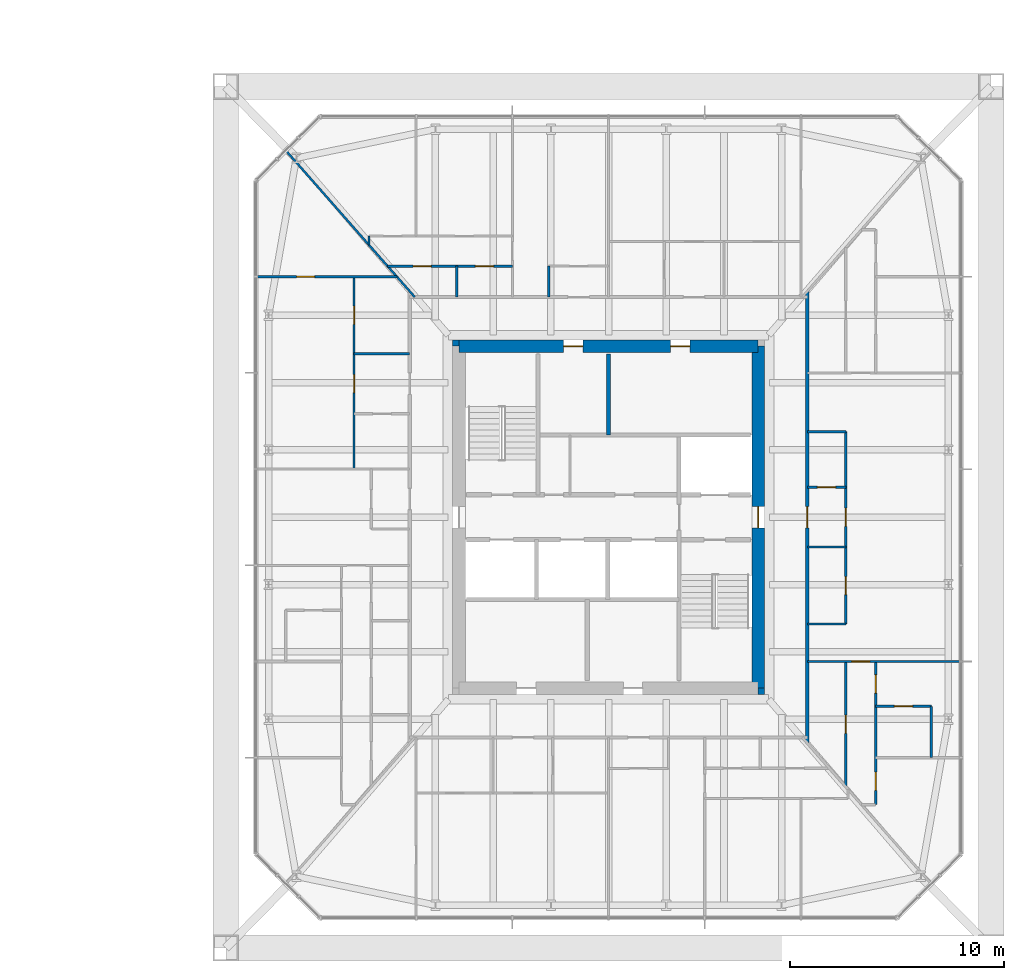
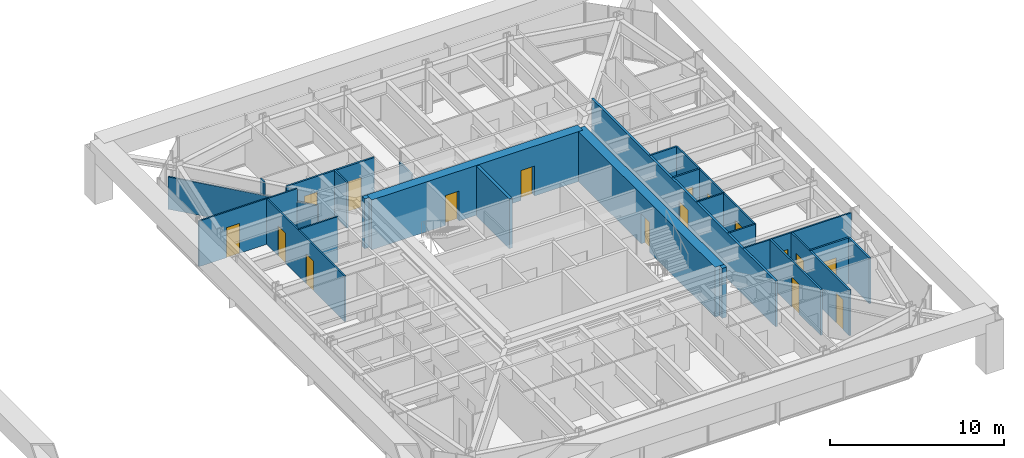
# One storey, part 26 of 32: 24 walls, 17 doors, 17 openings.
"""IFC4 building model written with IfcOpenShell, lengths in metres."""

from ifc_helpers import new_model, si_unit, direction, frame, frame_2d, origin, place, context, subcontext, project, spatial, rectangle, extrude, material, layer, layer_set, type_object, element, fill, save


model = new_model("IFC4")

# Units and contexts
model_context = context("Model", 3, precision=1e-05, world=origin(), true_north=direction((0.0, 1.0)))
body_context = subcontext(model_context, "Body", "Model", "MODEL_VIEW")
ifc_project = project(units=[si_unit("LENGTHUNIT", "METRE"), si_unit("AREAUNIT", "SQUARE_METRE"), si_unit("VOLUMEUNIT", "CUBIC_METRE"), si_unit("PLANEANGLEUNIT", "RADIAN"), si_unit("MASSUNIT", "GRAM", prefix="KILO")], contexts=[model_context])

# Site, building, storey
site_placement = place(None, origin())
site = spatial("IfcSite", under=ifc_project, at=site_placement, CompositionType="ELEMENT")
building_placement = place(site_placement, origin())
building = spatial("IfcBuilding", under=site, at=building_placement, Name="Iwan Alto Co-Living Towers", CompositionType="ELEMENT")
storey_placement = place(building_placement, frame((0.0, 0.0, 71.0)))
storey = spatial("IfcBuildingStorey", under=building, at=storey_placement, Name="L19", CompositionType="ELEMENT", Elevation=71.0)

# Wall, opening, door
ifc_material_1 = material(Name="Gypsum board")
ifc_layer_1 = layer(ifc_material_1, 0.02490234375, Name="Board", Category="Finish")
ifc_material_2 = material(Name="Steel ASTM A1003 ST33H cold-formed studs", Category="steel")
ifc_layer_2 = layer(ifc_material_2, 0.10009765625, Name="Studs", Category="Framing")
ifc_layer_3 = layer(ifc_material_1, 0.02490234375, Name="Board", Category="Finish")
ifc_layer_set_1 = layer_set([ifc_layer_1, ifc_layer_2, ifc_layer_3], Name="CORRIDOR WALL 150")
wall_type_1 = type_object("IfcWallType", Name="CORRIDOR WALL 150", PredefinedType="PARTITIONING", material=ifc_layer_set_1)
wall_1_placement = place(storey_placement, frame((72.300048828125, -10.568115234375, 0.0), z_axis=(0.0, 0.0, 1.0), x_axis=(0.0, 1.0, 0.0)))
wall_1 = element("IfcWall", 1, at=wall_1_placement, inside=storey, type_object=wall_type_1, Name="Partition L19", PredefinedType="PARTITIONING", context=body_context, shape_type="SweptSolid", body=[
    extrude(rectangle(XDim=21.13623046875, YDim=0.14990234375, at=frame_2d((10.568115234375, 0.0))), origin(), (0.0, 0.0, 1.0), 3.199951171875),
])
opening_1_placement = place(wall_1_placement, frame((10.068115234375, 0.0, 0.0)))
opening_1 = element("IfcOpeningElement", 2, at=opening_1_placement, cuts=wall_1, Name="Opening D3", PredefinedType="OPENING", context=body_context, shape_type="SweptSolid", body=[
    extrude(rectangle(XDim=1.0, YDim=2.10009765625, at=frame_2d((0.5, 1.050048828125))), frame((0.0, 0.0849609375, 0.0), z_axis=(0.0, -1.0, 0.0), x_axis=(1.0, 0.0, 0.0)), (0.0, 0.0, 1.0), 0.169921875),
])
ifc_material_3 = material(Name="Steel frame with timber leaf", Category="steel")
door_type_1 = type_object("IfcDoorType", Name="FLAT ENTRANCE DOOR FD30S 1000X2100", OperationType="SINGLE_SWING_LEFT", PredefinedType="DOOR", material=ifc_material_3)
door_1_placement = place(opening_1_placement, frame((1.0, 0.0, 0.0), z_axis=(0.0, 0.0, 1.0), x_axis=(-1.0, 0.0, 0.0)))
door_1 = element("IfcDoor", 3, at=door_1_placement, inside=storey, type_object=door_type_1, Name="Apartment foyer door L19", OperationType="SINGLE_SWING_RIGHT", OverallHeight=2.10009765625, OverallWidth=1.0, PredefinedType="DOOR", context=body_context, shape_type="SweptSolid", body=[
    extrude(rectangle(XDim=1.0, YDim=2.10009765625, at=frame_2d((0.5, 1.050048828125))), frame((0.0, 0.02490234375, 0.0), z_axis=(0.0, -1.0, 0.0), x_axis=(1.0, 0.0, 0.0)), (0.0, 0.0, 1.0), 0.050048828125),
])
fill(opening_1, door_1)

ifc_layer_4 = layer(ifc_material_1, 0.012451171875, Name="Board", Category="Finish")
ifc_layer_5 = layer(ifc_material_2, 0.074951171875, Name="Studs", Category="Framing")
ifc_layer_6 = layer(ifc_material_1, 0.012451171875, Name="Board", Category="Finish")
ifc_layer_set_2 = layer_set([ifc_layer_4, ifc_layer_5, ifc_layer_6], Name="PARTITION 100")
wall_type_2 = type_object("IfcWallType", Name="PARTITION 100", PredefinedType="PARTITIONING", material=ifc_layer_set_2)
wall_2_placement = place(storey_placement, frame((72.300048828125, -6.75, 0.0), z_axis=(0.0, 0.0, 1.0), x_axis=(1.0, 0.0, 0.0)))
wall_2 = element("IfcWall", 4, at=wall_2_placement, inside=storey, type_object=wall_type_2, Name="Partition L19", PredefinedType="PARTITIONING", context=body_context, shape_type="SweptSolid", body=[
    extrude(rectangle(XDim=7.139892578125, YDim=0.10009765625, at=frame_2d((3.56982421875, 0.0))), origin(), (0.0, 0.0, 1.0), 3.199951171875),
])
opening_2_placement = place(wall_2_placement, frame((2.074951171875, 0.0, 0.0)))
opening_2 = element("IfcOpeningElement", 5, at=opening_2_placement, cuts=wall_2, Name="Opening D2", PredefinedType="OPENING", context=body_context, shape_type="SweptSolid", body=[
    extrude(rectangle(XDim=0.85009765625, YDim=2.10009765625, at=frame_2d((0.425048828125, 1.050048828125))), frame((0.0, 0.06005859375, 0.0), z_axis=(0.0, -1.0, 0.0), x_axis=(1.0, 0.0, 0.0)), (0.0, 0.0, 1.0), 0.1201171875),
])
ifc_material_4 = material(Name="Timber leaf in steel frame", Category="steel")
door_type_2 = type_object("IfcDoorType", Name="ROOM DOOR 850X2100", OperationType="SINGLE_SWING_LEFT", PredefinedType="DOOR", material=ifc_material_4)
door_2_placement = place(opening_2_placement, origin())
door_2 = element("IfcDoor", 6, at=door_2_placement, inside=storey, type_object=door_type_2, Name="Apartment hall door L19", OperationType="SINGLE_SWING_LEFT", OverallHeight=2.10009765625, OverallWidth=0.85009765625, PredefinedType="DOOR", context=body_context, shape_type="SweptSolid", body=[
    extrude(rectangle(XDim=0.85009765625, YDim=2.10009765625, at=frame_2d((0.425048828125, 1.050048828125))), frame((0.0, 0.02490234375, 0.0), z_axis=(0.0, -1.0, 0.0), x_axis=(1.0, 0.0, 0.0)), (0.0, 0.0, 1.0), 0.050048828125),
])
fill(opening_2, door_2)

# Walls
for number, where, z_axis, x_axis, name in (
    (7, (72.300048828125, -5.0, 0.0), (0.0, 0.0, 1.0), (1.0, 0.0, 0.0), "Partition L19"),
    (8, (72.300048828125, -1.39990234375, 0.0), (0.0, 0.0, 1.0), (1.0, 0.0, 0.0), "Partition L19"),
):
    element("IfcWall", number, at=place(storey_placement, frame(where, z_axis=z_axis, x_axis=x_axis)), inside=storey, type_object=wall_type_2, Name=name, PredefinedType="PARTITIONING", context=body_context, shape_type="SweptSolid", body=[
        extrude(rectangle(XDim=1.800048828125, YDim=0.10009765625, at=frame_2d((0.89990234375, 0.0))), origin(), (0.0, 0.0, 1.0), 3.199951171875),
    ])
wall_3_placement = place(storey_placement, frame((51.10009765625, 7.64990234375, 0.0), z_axis=(0.0, 0.0, 1.0), x_axis=(1.0, 0.0, 0.0)))
element("IfcWall", 9, at=wall_3_placement, inside=storey, type_object=wall_type_2, Name="Partition L19", PredefinedType="PARTITIONING", context=body_context, shape_type="SweptSolid", body=[
    extrude(rectangle(XDim=2.599853515625, YDim=0.10009765625, at=frame_2d((1.2998046875, 0.0))), origin(), (0.0, 0.0, 1.0), 3.199951171875),
])

# Wall, opening, door
wall_4_placement = place(storey_placement, frame((46.56005859375, 11.25, 0.0), z_axis=(0.0, 0.0, 1.0), x_axis=(1.0, 0.0, 0.0)))
wall_4 = element("IfcWall", 10, at=wall_4_placement, inside=storey, type_object=wall_type_2, Name="Partition L19", PredefinedType="PARTITIONING", context=body_context, shape_type="SweptSolid", body=[
    extrude(rectangle(XDim=6.5400390625, YDim=0.10009765625, at=frame_2d((3.27001953125, 0.0))), origin(), (0.0, 0.0, 1.0), 3.199951171875),
])
opening_3_placement = place(wall_4_placement, frame((1.844970703125, 0.0, 0.0)))
opening_3 = element("IfcOpeningElement", 11, at=opening_3_placement, cuts=wall_4, Name="Opening D2", PredefinedType="OPENING", context=body_context, shape_type="SweptSolid", body=[
    extrude(rectangle(XDim=0.85009765625, YDim=2.10009765625, at=frame_2d((0.425048828125, 1.050048828125))), frame((0.0, 0.06005859375, 0.0), z_axis=(0.0, -1.0, 0.0), x_axis=(1.0, 0.0, 0.0)), (0.0, 0.0, 1.0), 0.1201171875),
])
door_3_placement = place(opening_3_placement, frame((0.85009765625, 0.0, 0.0), z_axis=(0.0, 0.0, 1.0), x_axis=(-1.0, 0.0, 0.0)))
door_3 = element("IfcDoor", 12, at=door_3_placement, inside=storey, type_object=door_type_2, Name="Bedroom door L19", OperationType="SINGLE_SWING_LEFT", OverallHeight=2.10009765625, OverallWidth=0.85009765625, PredefinedType="DOOR", context=body_context, shape_type="SweptSolid", body=[
    extrude(rectangle(XDim=0.85009765625, YDim=2.10009765625, at=frame_2d((0.425048828125, 1.050048828125))), frame((0.0, 0.02490234375, 0.0), z_axis=(0.0, -1.0, 0.0), x_axis=(1.0, 0.0, 0.0)), (0.0, 0.0, 1.0), 0.050048828125),
])
fill(opening_3, door_3)

# Wall, openings, doors
wall_5_placement = place(storey_placement, frame((74.10009765625, -5.0, 0.0), z_axis=(0.0, 0.0, 1.0), x_axis=(0.0, 1.0, 0.0)))
wall_5 = element("IfcWall", 13, at=wall_5_placement, inside=storey, type_object=wall_type_2, Name="Partition L19", PredefinedType="PARTITIONING", context=body_context, shape_type="SweptSolid", body=[
    extrude(rectangle(XDim=9.0, YDim=0.10009765625, at=frame_2d((4.5, 0.0))), origin(), (0.0, 0.0, 1.0), 3.199951171875),
])
opening_4_placement = place(wall_5_placement, frame((1.375, 0.0, 0.0)))
opening_4 = element("IfcOpeningElement", 14, at=opening_4_placement, cuts=wall_5, Name="Opening D2", PredefinedType="OPENING", context=body_context, shape_type="SweptSolid", body=[
    extrude(rectangle(XDim=0.85009765625, YDim=2.10009765625, at=frame_2d((0.425048828125, 1.050048828125))), frame((0.0, 0.06005859375, 0.0), z_axis=(0.0, -1.0, 0.0), x_axis=(1.0, 0.0, 0.0)), (0.0, 0.0, 1.0), 0.1201171875),
])
opening_5_placement = place(wall_5_placement, frame((4.574951171875, 0.0, 0.0)))
opening_5 = element("IfcOpeningElement", 15, at=opening_5_placement, cuts=wall_5, Name="Opening D2", PredefinedType="OPENING", context=body_context, shape_type="SweptSolid", body=[
    extrude(rectangle(XDim=0.85009765625, YDim=2.10009765625, at=frame_2d((0.425048828125, 1.050048828125))), frame((0.0, 0.06005859375, 0.0), z_axis=(0.0, -1.0, 0.0), x_axis=(1.0, 0.0, 0.0)), (0.0, 0.0, 1.0), 0.1201171875),
])
door_4_placement = place(opening_4_placement, frame((0.85009765625, 0.0, 0.0), z_axis=(0.0, 0.0, 1.0), x_axis=(-1.0, 0.0, 0.0)))
door_4 = element("IfcDoor", 16, at=door_4_placement, inside=storey, type_object=door_type_2, Name="Kitchen door L19", OperationType="SINGLE_SWING_RIGHT", OverallHeight=2.10009765625, OverallWidth=0.85009765625, PredefinedType="DOOR", context=body_context, shape_type="SweptSolid", body=[
    extrude(rectangle(XDim=0.85009765625, YDim=2.10009765625, at=frame_2d((0.425048828125, 1.050048828125))), frame((0.0, 0.02490234375, 0.0), z_axis=(0.0, -1.0, 0.0), x_axis=(1.0, 0.0, 0.0)), (0.0, 0.0, 1.0), 0.050048828125),
])
fill(opening_4, door_4)
door_5_placement = place(opening_5_placement, frame((0.85009765625, 0.0, 0.0), z_axis=(0.0, 0.0, 1.0), x_axis=(-1.0, 0.0, 0.0)))
door_5 = element("IfcDoor", 17, at=door_5_placement, inside=storey, type_object=door_type_2, Name="Apartment foyer door L19", OperationType="SINGLE_SWING_RIGHT", OverallHeight=2.10009765625, OverallWidth=0.85009765625, PredefinedType="DOOR", context=body_context, shape_type="SweptSolid", body=[
    extrude(rectangle(XDim=0.85009765625, YDim=2.10009765625, at=frame_2d((0.425048828125, 1.050048828125))), frame((0.0, 0.02490234375, 0.0), z_axis=(0.0, -1.0, 0.0), x_axis=(1.0, 0.0, 0.0)), (0.0, 0.0, 1.0), 0.050048828125),
])
fill(opening_5, door_5)

# Walls
wall_6_placement = place(storey_placement, frame((60.199951171875, 10.300048828125, 0.0), z_axis=(0.0, 0.0, 1.0), x_axis=(0.0, 1.0, 0.0)))
element("IfcWall", 18, at=wall_6_placement, inside=storey, type_object=wall_type_2, Name="Partition L19", PredefinedType="PARTITIONING", context=body_context, shape_type="SweptSolid", body=[
    extrude(rectangle(XDim=1.449951171875, YDim=0.10009765625, at=frame_2d((0.72509765625, 0.0))), origin(), (0.0, 0.0, 1.0), 2.27294921875),
])
wall_7_placement = place(storey_placement, frame((51.800048828125, 12.72705078125, 0.0), z_axis=(0.0, 0.0, 1.0), x_axis=(0.0, 1.0, 0.0)))
element("IfcWall", 19, at=wall_7_placement, inside=storey, type_object=wall_type_2, Name="Partition L19", PredefinedType="PARTITIONING", context=body_context, shape_type="SweptSolid", body=[
    extrude(rectangle(XDim=0.4228515625, YDim=0.10009765625, at=frame_2d((0.21142578125, 0.0))), origin(), (0.0, 0.0, 1.0), 3.199951171875),
])

# Wall, openings, doors
wall_8_placement = place(storey_placement, frame((51.10009765625, 2.25, 0.0), z_axis=(0.0, 0.0, 1.0), x_axis=(0.0, 1.0, 0.0)))
wall_8 = element("IfcWall", 20, at=wall_8_placement, inside=storey, type_object=wall_type_2, Name="Partition L19", PredefinedType="PARTITIONING", context=body_context, shape_type="SweptSolid", body=[
    extrude(rectangle(XDim=9.0, YDim=0.10009765625, at=frame_2d((4.5, 0.0))), origin(), (0.0, 0.0, 1.0), 3.199951171875),
])
opening_6_placement = place(wall_8_placement, frame((6.77490234375, 0.0, 0.0)))
opening_6 = element("IfcOpeningElement", 21, at=opening_6_placement, cuts=wall_8, Name="Opening D2", PredefinedType="OPENING", context=body_context, shape_type="SweptSolid", body=[
    extrude(rectangle(XDim=0.85009765625, YDim=2.10009765625, at=frame_2d((0.425048828125, 1.050048828125))), frame((0.0, 0.06005859375, 0.0), z_axis=(0.0, -1.0, 0.0), x_axis=(1.0, 0.0, 0.0)), (0.0, 0.0, 1.0), 0.1201171875),
])
opening_7_placement = place(wall_8_placement, frame((3.574951171875, 0.0, 0.0)))
opening_7 = element("IfcOpeningElement", 22, at=opening_7_placement, cuts=wall_8, Name="Opening D2", PredefinedType="OPENING", context=body_context, shape_type="SweptSolid", body=[
    extrude(rectangle(XDim=0.85009765625, YDim=2.10009765625, at=frame_2d((0.425048828125, 1.050048828125))), frame((0.0, 0.06005859375, 0.0), z_axis=(0.0, -1.0, 0.0), x_axis=(1.0, 0.0, 0.0)), (0.0, 0.0, 1.0), 0.1201171875),
])
door_6_placement = place(opening_6_placement, origin())
door_6 = element("IfcDoor", 23, at=door_6_placement, inside=storey, type_object=door_type_2, Name="Kitchen door L19", OperationType="SINGLE_SWING_RIGHT", OverallHeight=2.10009765625, OverallWidth=0.85009765625, PredefinedType="DOOR", context=body_context, shape_type="SweptSolid", body=[
    extrude(rectangle(XDim=0.85009765625, YDim=2.10009765625, at=frame_2d((0.425048828125, 1.050048828125))), frame((0.0, 0.02490234375, 0.0), z_axis=(0.0, -1.0, 0.0), x_axis=(1.0, 0.0, 0.0)), (0.0, 0.0, 1.0), 0.050048828125),
])
fill(opening_6, door_6)
door_7_placement = place(opening_7_placement, origin())
door_7 = element("IfcDoor", 24, at=door_7_placement, inside=storey, type_object=door_type_2, Name="Apartment foyer door L19", OperationType="SINGLE_SWING_LEFT", OverallHeight=2.10009765625, OverallWidth=0.85009765625, PredefinedType="DOOR", context=body_context, shape_type="SweptSolid", body=[
    extrude(rectangle(XDim=0.85009765625, YDim=2.10009765625, at=frame_2d((0.425048828125, 1.050048828125))), frame((0.0, 0.02490234375, 0.0), z_axis=(0.0, -1.0, 0.0), x_axis=(1.0, 0.0, 0.0)), (0.0, 0.0, 1.0), 0.050048828125),
])
fill(opening_7, door_7)

# Walls
wall_9_placement = place(storey_placement, frame((53.93603515625, 10.300048828125, 0.0), z_axis=(0.0, 0.0, 1.0), x_axis=(-0.660638210404, 0.750704439146, 0.0)))
element("IfcWall", 25, at=wall_9_placement, inside=storey, type_object=wall_type_2, Name="Partition L19", PredefinedType="PARTITIONING", context=body_context, shape_type="SweptSolid", body=[
    extrude(rectangle(XDim=9.06982421875, YDim=0.10009765625, at=frame_2d((4.534912109375, 0.0))), origin(), (0.0, 0.0, 1.0), 2.27294921875),
])
ifc_material_5 = material(Name="Concrete f'c 70 MPa", Category="concrete")
ifc_layer_7 = layer(ifc_material_5, 0.199951171875)
ifc_layer_set_3 = layer_set([ifc_layer_7], Name="SHAFT WALL 200")
wall_type_3 = type_object("IfcWallType", Name="SHAFT WALL 200", PredefinedType="SOLIDWALL", material=ifc_layer_set_3)
wall_10_placement = place(storey_placement, frame((63.0, 3.85009765625, 0.0), z_axis=(0.0, 0.0, 1.0), x_axis=(0.0, 1.0, 0.0)))
element("IfcWall", 26, at=wall_10_placement, inside=storey, type_object=wall_type_3, Name="Shaft wall L19", PredefinedType="SOLIDWALL", context=body_context, shape_type="SweptSolid", body=[
    extrude(rectangle(XDim=3.789794921875, YDim=0.199951171875, at=frame_2d((1.89501953125, 0.0))), origin(), (0.0, 0.0, 1.0), 3.5),
])
ifc_material_6 = material(Name="Concrete f'c 70 MPa", Category="concrete")
ifc_layer_8 = layer(ifc_material_6, 0.300048828125)
ifc_layer_set_4 = layer_set([ifc_layer_8], Name="T2 CORE CORNER FILL 300")
wall_type_4 = type_object("IfcWallType", Name="T2 CORE CORNER FILL 300", PredefinedType="SOLIDWALL", material=ifc_layer_set_4)
for number, where, z_axis, x_axis, name in (
    (27, (70.0, -8.14990234375, 0.0), (0.0, 0.0, 1.0), (1.0, 0.0, 0.0), "T2 core corner SE L19"),
    (28, (55.699951171875, 8.14990234375, 0.0), (0.0, 0.0, 1.0), (1.0, 0.0, 0.0), "T2 core corner NW L19"),
):
    element("IfcWall", number, at=place(storey_placement, frame(where, z_axis=z_axis, x_axis=x_axis)), inside=storey, type_object=wall_type_4, Name=name, PredefinedType="SOLIDWALL", context=body_context, shape_type="SweptSolid", body=[
        extrude(rectangle(XDim=0.300048828125, YDim=0.300048828125, at=frame_2d((0.14990234375, 0.0))), origin(), (0.0, 0.0, 1.0), 3.5),
    ])

# Wall, openings, doors
ifc_material_7 = material(Name="Concrete f'c 70 MPa", Category="concrete")
ifc_layer_9 = layer(ifc_material_7, 0.60009765625)
ifc_layer_set_5 = layer_set([ifc_layer_9], Name="T2 CORE WALL 600")
wall_type_5 = type_object("IfcWallType", Name="T2 CORE WALL 600", PredefinedType="SHEAR", material=ifc_layer_set_5)
wall_11_placement = place(storey_placement, frame((70.0, 8.0, 0.0), z_axis=(0.0, 0.0, 1.0), x_axis=(-1.0, 0.0, 0.0)))
wall_11 = element("IfcWall", 29, at=wall_11_placement, inside=storey, type_object=wall_type_5, Name="T2 core wall N L19", PredefinedType="SHEAR", context=body_context, shape_type="SweptSolid", body=[
    extrude(rectangle(XDim=14.0, YDim=0.60009765625, at=frame_2d((7.0, 0.0))), origin(), (0.0, 0.0, 1.0), 3.5),
])
opening_8_placement = place(wall_11_placement, frame((8.199951171875, 0.0, 0.0)))
opening_8 = element("IfcOpeningElement", 30, at=opening_8_placement, cuts=wall_11, Name="Opening D8", PredefinedType="OPENING", context=body_context, shape_type="SweptSolid", body=[
    extrude(rectangle(XDim=0.89990234375, YDim=2.10009765625, at=frame_2d((0.449951171875, 1.050048828125))), frame((0.0, 0.31005859375, 0.0), z_axis=(0.0, -1.0, 0.0), x_axis=(1.0, 0.0, 0.0)), (0.0, 0.0, 1.0), 0.6201171875),
])
opening_9_placement = place(wall_11_placement, frame((3.199951171875, 0.0, 0.0)))
opening_9 = element("IfcOpeningElement", 31, at=opening_9_placement, cuts=wall_11, Name="Opening D8", PredefinedType="OPENING", context=body_context, shape_type="SweptSolid", body=[
    extrude(rectangle(XDim=0.89990234375, YDim=2.10009765625, at=frame_2d((0.449951171875, 1.050048828125))), frame((0.0, 0.31005859375, 0.0), z_axis=(0.0, -1.0, 0.0), x_axis=(1.0, 0.0, 0.0)), (0.0, 0.0, 1.0), 0.6201171875),
])
ifc_material_8 = material(Name="Steel frame with timber leaf", Category="steel")
door_type_3 = type_object("IfcDoorType", Name="RISER DOOR FD120 900X2100", OperationType="SINGLE_SWING_LEFT", PredefinedType="DOOR", material=ifc_material_8)
door_8_placement = place(opening_8_placement, origin())
door_8 = element("IfcDoor", 32, at=door_8_placement, inside=storey, type_object=door_type_3, Name="Electrical riser core door L19", OperationType="SINGLE_SWING_RIGHT", OverallHeight=2.10009765625, OverallWidth=0.89990234375, PredefinedType="DOOR", context=body_context, shape_type="SweptSolid", body=[
    extrude(rectangle(XDim=0.89990234375, YDim=2.10009765625, at=frame_2d((0.449951171875, 1.050048828125))), frame((0.0, 0.02490234375, 0.0), z_axis=(0.0, -1.0, 0.0), x_axis=(1.0, 0.0, 0.0)), (0.0, 0.0, 1.0), 0.050048828125),
])
fill(opening_8, door_8)
door_9_placement = place(opening_9_placement, origin())
door_9 = element("IfcDoor", 33, at=door_9_placement, inside=storey, type_object=door_type_3, Name="Water and drainage riser core door L19", OperationType="SINGLE_SWING_RIGHT", OverallHeight=2.10009765625, OverallWidth=0.89990234375, PredefinedType="DOOR", context=body_context, shape_type="SweptSolid", body=[
    extrude(rectangle(XDim=0.89990234375, YDim=2.10009765625, at=frame_2d((0.449951171875, 1.050048828125))), frame((0.0, 0.02490234375, 0.0), z_axis=(0.0, -1.0, 0.0), x_axis=(1.0, 0.0, 0.0)), (0.0, 0.0, 1.0), 0.050048828125),
])
fill(opening_9, door_9)

# Wall, opening, door
wall_12_placement = place(storey_placement, frame((70.0, -8.0, 0.0), z_axis=(0.0, 0.0, 1.0), x_axis=(0.0, 1.0, 0.0)))
wall_12 = element("IfcWall", 34, at=wall_12_placement, inside=storey, type_object=wall_type_5, Name="T2 core wall E L19", PredefinedType="SHEAR", context=body_context, shape_type="SweptSolid", body=[
    extrude(rectangle(XDim=16.0, YDim=0.60009765625, at=frame_2d((8.0, 0.0))), origin(), (0.0, 0.0, 1.0), 3.5),
])
opening_10_placement = place(wall_12_placement, frame((7.5, 0.0, 0.0)))
opening_10 = element("IfcOpeningElement", 35, at=opening_10_placement, cuts=wall_12, Name="Opening D7", PredefinedType="OPENING", context=body_context, shape_type="SweptSolid", body=[
    extrude(rectangle(XDim=1.0, YDim=2.10009765625, at=frame_2d((0.5, 1.050048828125))), frame((0.0, 0.31005859375, 0.0), z_axis=(0.0, -1.0, 0.0), x_axis=(1.0, 0.0, 0.0)), (0.0, 0.0, 1.0), 0.6201171875),
])
ifc_material_9 = material(Name="Steel frame with timber leaf", Category="steel")
door_type_4 = type_object("IfcDoorType", Name="CORE DOOR FD120S 1000X2100", OperationType="SINGLE_SWING_LEFT", PredefinedType="DOOR", material=ifc_material_9)
door_10_placement = place(opening_10_placement, origin())
door_10 = element("IfcDoor", 36, at=door_10_placement, inside=storey, type_object=door_type_4, Name="Firefighting lobby core door L19", OperationType="SINGLE_SWING_LEFT", OverallHeight=2.10009765625, OverallWidth=1.0, PredefinedType="DOOR", context=body_context, shape_type="SweptSolid", body=[
    extrude(rectangle(XDim=1.0, YDim=2.10009765625, at=frame_2d((0.5, 1.050048828125))), frame((0.0, 0.02490234375, 0.0), z_axis=(0.0, -1.0, 0.0), x_axis=(1.0, 0.0, 0.0)), (0.0, 0.0, 1.0), 0.050048828125),
])
fill(opening_10, door_10)

ifc_material_10 = material(Name="Cement board")
ifc_layer_10 = layer(ifc_material_10, 0.012451171875, Name="Board", Category="Finish")
ifc_layer_11 = layer(ifc_material_2, 0.094970703125, Name="Studs", Category="Framing")
ifc_layer_12 = layer(ifc_material_10, 0.012451171875, Name="Board", Category="Finish")
ifc_layer_set_6 = layer_set([ifc_layer_10, ifc_layer_11, ifc_layer_12], Name="WET AREA PARTITION 120")
wall_type_6 = type_object("IfcWallType", Name="WET AREA PARTITION 120", PredefinedType="PARTITIONING", material=ifc_layer_set_6)
wall_13_placement = place(storey_placement, frame((75.5, -8.85009765625, 0.0), z_axis=(0.0, 0.0, 1.0), x_axis=(1.0, 0.0, 0.0)))
wall_13 = element("IfcWall", 37, at=wall_13_placement, inside=storey, type_object=wall_type_6, Name="Partition L19", PredefinedType="PARTITIONING", context=body_context, shape_type="SweptSolid", body=[
    extrude(rectangle(XDim=2.60009765625, YDim=0.1201171875, at=frame_2d((1.300048828125, 0.0))), origin(), (0.0, 0.0, 1.0), 3.199951171875),
])
opening_11_placement = place(wall_13_placement, frame((0.875, 0.0, 0.0)))
opening_11 = element("IfcOpeningElement", 38, at=opening_11_placement, cuts=wall_13, Name="Opening D2", PredefinedType="OPENING", context=body_context, shape_type="SweptSolid", body=[
    extrude(rectangle(XDim=0.85009765625, YDim=2.10009765625, at=frame_2d((0.425048828125, 1.050048828125))), frame((0.0, 0.070068359375, 0.0), z_axis=(0.0, -1.0, 0.0), x_axis=(1.0, 0.0, 0.0)), (0.0, 0.0, 1.0), 0.14013671875),
])
door_11_placement = place(opening_11_placement, origin())
door_11 = element("IfcDoor", 39, at=door_11_placement, inside=storey, type_object=door_type_2, Name="En-suite shower room door L19", OperationType="SINGLE_SWING_LEFT", OverallHeight=2.10009765625, OverallWidth=0.85009765625, PredefinedType="DOOR", context=body_context, shape_type="SweptSolid", body=[
    extrude(rectangle(XDim=0.85009765625, YDim=2.10009765625, at=frame_2d((0.425048828125, 1.050048828125))), frame((0.0, 0.02490234375, 0.0), z_axis=(0.0, -1.0, 0.0), x_axis=(1.0, 0.0, 0.0)), (0.0, 0.0, 1.0), 0.050048828125),
])
fill(opening_11, door_11)

wall_14_placement = place(storey_placement, frame((72.300048828125, 1.39990234375, 0.0), z_axis=(0.0, 0.0, 1.0), x_axis=(1.0, 0.0, 0.0)))
wall_14 = element("IfcWall", 40, at=wall_14_placement, inside=storey, type_object=wall_type_6, Name="Partition L19", PredefinedType="PARTITIONING", context=body_context, shape_type="SweptSolid", body=[
    extrude(rectangle(XDim=1.800048828125, YDim=0.1201171875, at=frame_2d((0.89990234375, 0.0))), origin(), (0.0, 0.0, 1.0), 3.199951171875),
])
opening_12_placement = place(wall_14_placement, frame((0.47509765625, 0.0, 0.0)))
opening_12 = element("IfcOpeningElement", 41, at=opening_12_placement, cuts=wall_14, Name="Opening D2", PredefinedType="OPENING", context=body_context, shape_type="SweptSolid", body=[
    extrude(rectangle(XDim=0.85009765625, YDim=2.10009765625, at=frame_2d((0.425048828125, 1.050048828125))), frame((0.0, 0.070068359375, 0.0), z_axis=(0.0, -1.0, 0.0), x_axis=(1.0, 0.0, 0.0)), (0.0, 0.0, 1.0), 0.14013671875),
])
door_12_placement = place(opening_12_placement, origin())
door_12 = element("IfcDoor", 42, at=door_12_placement, inside=storey, type_object=door_type_2, Name="Bathroom door L19", OperationType="SINGLE_SWING_LEFT", OverallHeight=2.10009765625, OverallWidth=0.85009765625, PredefinedType="DOOR", context=body_context, shape_type="SweptSolid", body=[
    extrude(rectangle(XDim=0.85009765625, YDim=2.10009765625, at=frame_2d((0.425048828125, 1.050048828125))), frame((0.0, 0.02490234375, 0.0), z_axis=(0.0, -1.0, 0.0), x_axis=(1.0, 0.0, 0.0)), (0.0, 0.0, 1.0), 0.050048828125),
])
fill(opening_12, door_12)

# Wall
wall_15_placement = place(storey_placement, frame((72.300048828125, 4.0, 0.0), z_axis=(0.0, 0.0, 1.0), x_axis=(1.0, 0.0, 0.0)))
element("IfcWall", 43, at=wall_15_placement, inside=storey, type_object=wall_type_6, Name="Partition L19", PredefinedType="PARTITIONING", context=body_context, shape_type="SweptSolid", body=[
    extrude(rectangle(XDim=1.800048828125, YDim=0.1201171875, at=frame_2d((0.89990234375, 0.0))), origin(), (0.0, 0.0, 1.0), 3.199951171875),
])

# Wall, openings, doors
wall_16_placement = place(storey_placement, frame((52.659912109375, 11.75, 0.0), z_axis=(0.0, 0.0, 1.0), x_axis=(1.0, 0.0, 0.0)))
wall_16 = element("IfcWall", 44, at=wall_16_placement, inside=storey, type_object=wall_type_6, Name="Partition L19", PredefinedType="PARTITIONING", context=body_context, shape_type="SweptSolid", body=[
    extrude(rectangle(XDim=5.840087890625, YDim=0.1201171875, at=frame_2d((2.919921875, 0.0))), origin(), (0.0, 0.0, 1.0), 3.199951171875),
])
opening_13_placement = place(wall_16_placement, frame((4.114990234375, 0.0, 0.0)))
opening_13 = element("IfcOpeningElement", 45, at=opening_13_placement, cuts=wall_16, Name="Opening D2", PredefinedType="OPENING", context=body_context, shape_type="SweptSolid", body=[
    extrude(rectangle(XDim=0.85009765625, YDim=2.10009765625, at=frame_2d((0.425048828125, 1.050048828125))), frame((0.0, 0.070068359375, 0.0), z_axis=(0.0, -1.0, 0.0), x_axis=(1.0, 0.0, 0.0)), (0.0, 0.0, 1.0), 0.14013671875),
])
opening_14_placement = place(wall_16_placement, frame((1.195068359375, 0.0, 0.0)))
opening_14 = element("IfcOpeningElement", 46, at=opening_14_placement, cuts=wall_16, Name="Opening D2", PredefinedType="OPENING", context=body_context, shape_type="SweptSolid", body=[
    extrude(rectangle(XDim=0.85009765625, YDim=2.10009765625, at=frame_2d((0.425048828125, 1.050048828125))), frame((0.0, 0.070068359375, 0.0), z_axis=(0.0, -1.0, 0.0), x_axis=(1.0, 0.0, 0.0)), (0.0, 0.0, 1.0), 0.14013671875),
])
door_13_placement = place(opening_13_placement, frame((0.85009765625, 0.0, 0.0), z_axis=(0.0, 0.0, 1.0), x_axis=(-1.0, 0.0, 0.0)))
door_13 = element("IfcDoor", 47, at=door_13_placement, inside=storey, type_object=door_type_2, Name="Shower room door L19", OperationType="SINGLE_SWING_RIGHT", OverallHeight=2.10009765625, OverallWidth=0.85009765625, PredefinedType="DOOR", context=body_context, shape_type="SweptSolid", body=[
    extrude(rectangle(XDim=0.85009765625, YDim=2.10009765625, at=frame_2d((0.425048828125, 1.050048828125))), frame((0.0, 0.02490234375, 0.0), z_axis=(0.0, -1.0, 0.0), x_axis=(1.0, 0.0, 0.0)), (0.0, 0.0, 1.0), 0.050048828125),
])
fill(opening_13, door_13)
door_14_placement = place(opening_14_placement, frame((0.85009765625, 0.0, 0.0), z_axis=(0.0, 0.0, 1.0), x_axis=(-1.0, 0.0, 0.0)))
door_14 = element("IfcDoor", 48, at=door_14_placement, inside=storey, type_object=door_type_2, Name="Utility room door L19", OperationType="SINGLE_SWING_RIGHT", OverallHeight=2.10009765625, OverallWidth=0.85009765625, PredefinedType="DOOR", context=body_context, shape_type="SweptSolid", body=[
    extrude(rectangle(XDim=0.85009765625, YDim=2.10009765625, at=frame_2d((0.425048828125, 1.050048828125))), frame((0.0, 0.02490234375, 0.0), z_axis=(0.0, -1.0, 0.0), x_axis=(1.0, 0.0, 0.0)), (0.0, 0.0, 1.0), 0.050048828125),
])
fill(opening_14, door_14)

# Wall
wall_17_placement = place(storey_placement, frame((78.10009765625, -11.25, 0.0), z_axis=(0.0, 0.0, 1.0), x_axis=(0.0, 1.0, 0.0)))
element("IfcWall", 49, at=wall_17_placement, inside=storey, type_object=wall_type_6, Name="Partition L19", PredefinedType="PARTITIONING", context=body_context, shape_type="SweptSolid", body=[
    extrude(rectangle(XDim=2.39990234375, YDim=0.1201171875, at=frame_2d((1.199951171875, 0.0))), origin(), (0.0, 0.0, 1.0), 3.199951171875),
])

# Wall, openings, doors
wall_18_placement = place(storey_placement, frame((75.5, -13.449951171875, 0.0), z_axis=(0.0, 0.0, 1.0), x_axis=(0.0, 1.0, 0.0)))
wall_18 = element("IfcWall", 50, at=wall_18_placement, inside=storey, type_object=wall_type_6, Name="Partition L19", PredefinedType="PARTITIONING", context=body_context, shape_type="SweptSolid", body=[
    extrude(rectangle(XDim=6.699951171875, YDim=0.1201171875, at=frame_2d((3.35009765625, 0.0))), origin(), (0.0, 0.0, 1.0), 3.199951171875),
])
opening_15_placement = place(wall_18_placement, frame((5.22509765625, 0.0, 0.0)))
opening_15 = element("IfcOpeningElement", 51, at=opening_15_placement, cuts=wall_18, Name="Opening D2", PredefinedType="OPENING", context=body_context, shape_type="SweptSolid", body=[
    extrude(rectangle(XDim=0.85009765625, YDim=2.10009765625, at=frame_2d((0.425048828125, 1.050048828125))), frame((0.0, 0.070068359375, 0.0), z_axis=(0.0, -1.0, 0.0), x_axis=(1.0, 0.0, 0.0)), (0.0, 0.0, 1.0), 0.14013671875),
])
opening_16_placement = place(wall_18_placement, frame((0.675048828125, 0.0, 0.0)))
opening_16 = element("IfcOpeningElement", 52, at=opening_16_placement, cuts=wall_18, Name="Opening D2", PredefinedType="OPENING", context=body_context, shape_type="SweptSolid", body=[
    extrude(rectangle(XDim=0.85009765625, YDim=2.10009765625, at=frame_2d((0.425048828125, 1.050048828125))), frame((0.0, 0.070068359375, 0.0), z_axis=(0.0, -1.0, 0.0), x_axis=(1.0, 0.0, 0.0)), (0.0, 0.0, 1.0), 0.14013671875),
])
door_15_placement = place(opening_15_placement, frame((0.85009765625, 0.0, 0.0), z_axis=(0.0, 0.0, 1.0), x_axis=(-1.0, 0.0, 0.0)))
door_15 = element("IfcDoor", 53, at=door_15_placement, inside=storey, type_object=door_type_2, Name="Bedroom door L19", OperationType="SINGLE_SWING_RIGHT", OverallHeight=2.10009765625, OverallWidth=0.85009765625, PredefinedType="DOOR", context=body_context, shape_type="SweptSolid", body=[
    extrude(rectangle(XDim=0.85009765625, YDim=2.10009765625, at=frame_2d((0.425048828125, 1.050048828125))), frame((0.0, 0.02490234375, 0.0), z_axis=(0.0, -1.0, 0.0), x_axis=(1.0, 0.0, 0.0)), (0.0, 0.0, 1.0), 0.050048828125),
])
fill(opening_15, door_15)
door_16_placement = place(opening_16_placement, frame((0.85009765625, 0.0, 0.0), z_axis=(0.0, 0.0, 1.0), x_axis=(-1.0, 0.0, 0.0)))
door_16 = element("IfcDoor", 54, at=door_16_placement, inside=storey, type_object=door_type_2, Name="Bedroom door L19", OperationType="SINGLE_SWING_LEFT", OverallHeight=2.10009765625, OverallWidth=0.85009765625, PredefinedType="DOOR", context=body_context, shape_type="SweptSolid", body=[
    extrude(rectangle(XDim=0.85009765625, YDim=2.10009765625, at=frame_2d((0.425048828125, 1.050048828125))), frame((0.0, 0.02490234375, 0.0), z_axis=(0.0, -1.0, 0.0), x_axis=(1.0, 0.0, 0.0)), (0.0, 0.0, 1.0), 0.050048828125),
])
fill(opening_16, door_16)

# Wall, opening, door
wall_19_placement = place(storey_placement, frame((74.10009765625, -12.614013671875, 0.0), z_axis=(0.0, 0.0, 1.0), x_axis=(0.0, 1.0, 0.0)))
wall_19 = element("IfcWall", 55, at=wall_19_placement, inside=storey, type_object=wall_type_6, Name="Partition L19", PredefinedType="PARTITIONING", context=body_context, shape_type="SweptSolid", body=[
    extrude(rectangle(XDim=5.864013671875, YDim=0.1201171875, at=frame_2d((2.93212890625, 0.0))), origin(), (0.0, 0.0, 1.0), 3.199951171875),
])
opening_17_placement = place(wall_19_placement, frame((2.507080078125, 0.0, 0.0)))
opening_17 = element("IfcOpeningElement", 56, at=opening_17_placement, cuts=wall_19, Name="Opening D2", PredefinedType="OPENING", context=body_context, shape_type="SweptSolid", body=[
    extrude(rectangle(XDim=0.85009765625, YDim=2.10009765625, at=frame_2d((0.425048828125, 1.050048828125))), frame((0.0, 0.070068359375, 0.0), z_axis=(0.0, -1.0, 0.0), x_axis=(1.0, 0.0, 0.0)), (0.0, 0.0, 1.0), 0.14013671875),
])
door_17_placement = place(opening_17_placement, origin())
door_17 = element("IfcDoor", 57, at=door_17_placement, inside=storey, type_object=door_type_2, Name="Utility room door L19", OperationType="SINGLE_SWING_LEFT", OverallHeight=2.10009765625, OverallWidth=0.85009765625, PredefinedType="DOOR", context=body_context, shape_type="SweptSolid", body=[
    extrude(rectangle(XDim=0.85009765625, YDim=2.10009765625, at=frame_2d((0.425048828125, 1.050048828125))), frame((0.0, 0.02490234375, 0.0), z_axis=(0.0, -1.0, 0.0), x_axis=(1.0, 0.0, 0.0)), (0.0, 0.0, 1.0), 0.050048828125),
])
fill(opening_17, door_17)

# Wall
wall_20_placement = place(storey_placement, frame((55.89990234375, 10.300048828125, 0.0), z_axis=(0.0, 0.0, 1.0), x_axis=(0.0, 1.0, 0.0)))
element("IfcWall", 58, at=wall_20_placement, inside=storey, type_object=wall_type_6, Name="Partition L19", PredefinedType="PARTITIONING", context=body_context, shape_type="SweptSolid", body=[
    extrude(rectangle(XDim=1.449951171875, YDim=0.1201171875, at=frame_2d((0.72509765625, 0.0))), origin(), (0.0, 0.0, 1.0), 3.199951171875),
])

save(model, "model.ifc")
